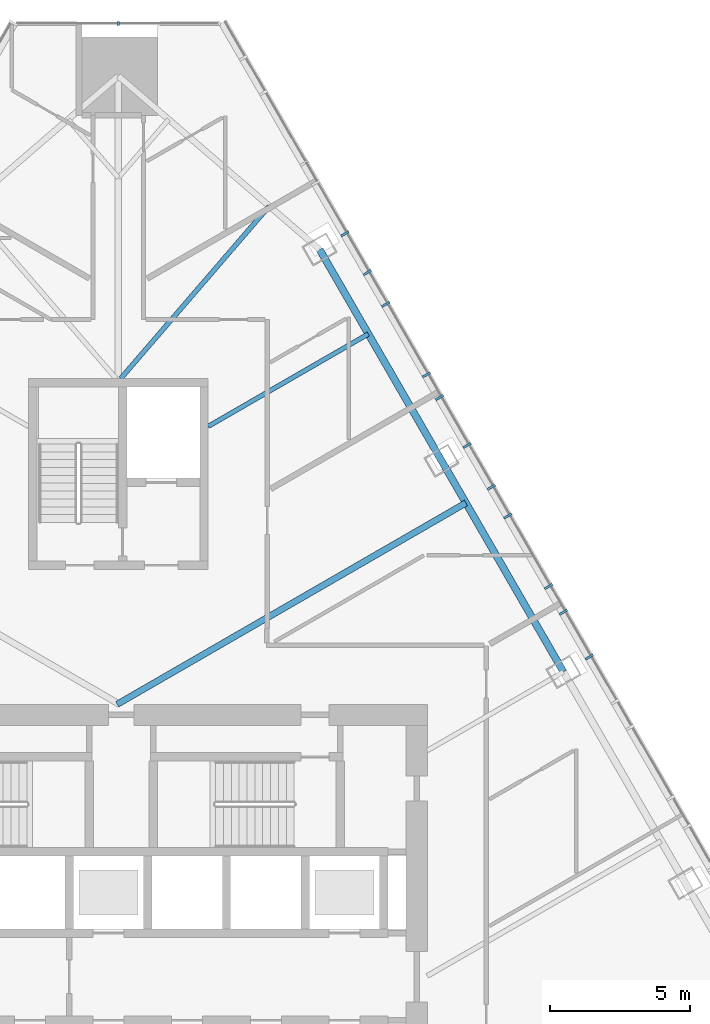
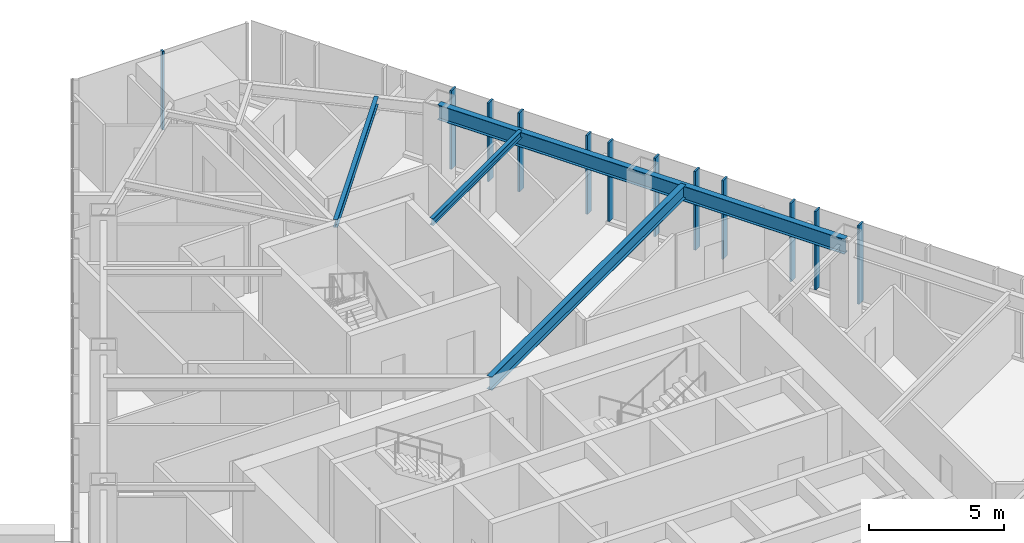
# One storey, part 7 of 23: 12 members, 4 beams, 2 elements without a shape of their own.
"""IFC4 building model written with IfcOpenShell, lengths in metres."""

from ifc_helpers import new_model, si_unit, direction, frame, origin, origin_2d, place, context, subcontext, project, spatial, rectangle, i_section, extrude, material, layer, layer_set, material_profile, profile_set, type_object, element, aggregate, save


model = new_model("IFC4")

# Units and contexts
model_context = context("Model", 3, precision=1e-05, world=origin(), true_north=direction((0.0, 1.0)))
body_context = subcontext(model_context, "Body", "Model", "MODEL_VIEW")
ifc_project = project(units=[si_unit("LENGTHUNIT", "METRE"), si_unit("AREAUNIT", "SQUARE_METRE"), si_unit("VOLUMEUNIT", "CUBIC_METRE"), si_unit("PLANEANGLEUNIT", "RADIAN"), si_unit("MASSUNIT", "GRAM", prefix="KILO")], contexts=[model_context])

# Site, building, storey
site_placement = place(None, origin())
site = spatial("IfcSite", under=ifc_project, at=site_placement, CompositionType="ELEMENT")
building_placement = place(site_placement, origin())
building = spatial("IfcBuilding", under=site, at=building_placement, Name="Firuza Gate Tower and Library", CompositionType="ELEMENT")
storey_placement = place(building_placement, frame((0.0, 0.0, 190.89990234375)))
storey = spatial("IfcBuildingStorey", under=building, at=storey_placement, Name="L44", CompositionType="ELEMENT", Elevation=190.89990234375)

# Curtain wall, member
ifc_material_1 = material(Name="Aluminium 6063-T6", Category="aluminium")
ifc_layer_1 = layer(ifc_material_1, 0.14990234375)
ifc_layer_set_1 = layer_set([ifc_layer_1], Name="Corner curtain wall, chamfers")
curtain_wall_type_1 = type_object("IfcCurtainWallType", Name="Corner curtain wall, chamfers", PredefinedType="NOTDEFINED", material=ifc_layer_set_1)
placement = place(storey_placement, origin())
curtain_wall_1 = element("IfcCurtainWall", 1, at=placement, inside=storey, type_object=curtain_wall_type_1, Name="CW4 L44 N corner", PredefinedType="NOTDEFINED")
ifc_material_2 = material(Name="Aluminium 6063-T6", Category="aluminium")
ifc_material_profile_1 = material_profile(ifc_material_2, rectangle(XDim=0.14990234375, YDim=0.080078125, at=origin_2d()))
ifc_profile_set_1 = profile_set([ifc_material_profile_1], Name="Aluminium 6063-T6")
member_type_1 = type_object("IfcMemberType", Name="Curtain wall mullion 80x150", PredefinedType="MULLION", material=ifc_profile_set_1)
member_1_placement = place(storey_placement, frame((75.0, 107.241943359375, 0.150146484375), z_axis=(0.0, 0.0, 1.0), x_axis=(0.0, -1.0, 0.0)))
member_1 = element("IfcMember", 2, at=member_1_placement, type_object=member_type_1, Name="Mullion", PredefinedType="MULLION", context=body_context, shape_type="SweptSolid", body=[
    extrude(rectangle(XDim=0.14990234375, YDim=0.080078125, at=origin_2d()), origin(), (0.0, 0.0, 1.0), 3.550048828125),
])
aggregate(curtain_wall_1, [member_1])

# Curtain wall, members
ifc_material_3 = material(Name="Aluminium 6063-T6", Category="aluminium")
ifc_layer_2 = layer(ifc_material_3, 0.14990234375)
ifc_layer_set_2 = layer_set([ifc_layer_2], Name="Unitised curtain wall, hotel")
curtain_wall_type_2 = type_object("IfcCurtainWallType", Name="Unitised curtain wall, hotel", PredefinedType="NOTDEFINED", material=ifc_layer_set_2)
curtain_wall_2 = element("IfcCurtainWall", 3, at=placement, inside=storey, type_object=curtain_wall_type_2, Name="CW2 L44 E face", PredefinedType="NOTDEFINED")
ifc_material_4 = material(Name="Aluminium 6063-T6", Category="aluminium")
ifc_material_profile_2 = material_profile(ifc_material_4, rectangle(XDim=0.320068359375, YDim=0.080078125, at=origin_2d()))
ifc_profile_set_2 = profile_set([ifc_material_profile_2], Name="Aluminium 6063-T6")
member_type_2 = type_object("IfcMemberType", Name="Curtain wall mullion 80x320", PredefinedType="MULLION", material=ifc_profile_set_2)
member_2_placement = place(storey_placement, frame((91.767333984375, 84.6806640625, 0.150146484375), z_axis=(0.0, 0.0, 1.0), x_axis=(-0.866025403784, -0.5, 0.0)))
member_2 = element("IfcMember", 4, at=member_2_placement, type_object=member_type_2, Name="Mullion", PredefinedType="MULLION", context=body_context, shape_type="SweptSolid", body=[
    extrude(rectangle(XDim=0.320068359375, YDim=0.080078125, at=origin_2d()), origin(), (0.0, 0.0, 1.0), 3.550048828125),
])
member_3_placement = place(storey_placement, frame((90.317138671875, 87.192138671875, 0.150146484375), z_axis=(0.0, 0.0, 1.0), x_axis=(-0.866025403784, -0.5, 0.0)))
member_3 = element("IfcMember", 5, at=member_3_placement, type_object=member_type_2, Name="Mullion", PredefinedType="MULLION", context=body_context, shape_type="SweptSolid", body=[
    extrude(rectangle(XDim=0.320068359375, YDim=0.080078125, at=origin_2d()), origin(), (0.0, 0.0, 1.0), 3.550048828125),
])
member_4_placement = place(storey_placement, frame((88.8671875, 89.70361328125, 0.150146484375), z_axis=(0.0, 0.0, 1.0), x_axis=(-0.866025403784, -0.5, 0.0)))
member_4 = element("IfcMember", 6, at=member_4_placement, type_object=member_type_2, Name="Mullion", PredefinedType="MULLION", context=body_context, shape_type="SweptSolid", body=[
    extrude(rectangle(XDim=0.320068359375, YDim=0.080078125, at=origin_2d()), origin(), (0.0, 0.0, 1.0), 3.550048828125),
])
member_5_placement = place(storey_placement, frame((87.417236328125, 92.215087890625, 0.150146484375), z_axis=(0.0, 0.0, 1.0), x_axis=(-0.866025403784, -0.5, 0.0)))
member_5 = element("IfcMember", 7, at=member_5_placement, type_object=member_type_2, Name="Mullion", PredefinedType="MULLION", context=body_context, shape_type="SweptSolid", body=[
    extrude(rectangle(XDim=0.320068359375, YDim=0.080078125, at=origin_2d()), origin(), (0.0, 0.0, 1.0), 3.550048828125),
])
member_6_placement = place(storey_placement, frame((85.967041015625, 94.726806640625, 0.150146484375), z_axis=(0.0, 0.0, 1.0), x_axis=(-0.866025403784, -0.5, 0.0)))
member_6 = element("IfcMember", 8, at=member_6_placement, type_object=member_type_2, Name="Mullion", PredefinedType="MULLION", context=body_context, shape_type="SweptSolid", body=[
    extrude(rectangle(XDim=0.320068359375, YDim=0.080078125, at=origin_2d()), origin(), (0.0, 0.0, 1.0), 3.550048828125),
])
member_7_placement = place(storey_placement, frame((84.51708984375, 97.23828125, 0.150146484375), z_axis=(0.0, 0.0, 1.0), x_axis=(-0.866025403784, -0.5, 0.0)))
member_7 = element("IfcMember", 9, at=member_7_placement, type_object=member_type_2, Name="Mullion", PredefinedType="MULLION", context=body_context, shape_type="SweptSolid", body=[
    extrude(rectangle(XDim=0.320068359375, YDim=0.080078125, at=origin_2d()), origin(), (0.0, 0.0, 1.0), 3.550048828125),
])
member_8_placement = place(storey_placement, frame((83.067138671875, 99.749755859375, 0.150146484375), z_axis=(0.0, 0.0, 1.0), x_axis=(-0.866025403784, -0.5, 0.0)))
member_8 = element("IfcMember", 10, at=member_8_placement, type_object=member_type_2, Name="Mullion", PredefinedType="MULLION", context=body_context, shape_type="SweptSolid", body=[
    extrude(rectangle(XDim=0.320068359375, YDim=0.080078125, at=origin_2d()), origin(), (0.0, 0.0, 1.0), 3.550048828125),
])
member_9_placement = place(storey_placement, frame((90.845458984375, 86.27734375, 0.150146484375), z_axis=(0.0, 0.0, 1.0), x_axis=(-0.866025403784, -0.5, 0.0)))
member_9 = element("IfcMember", 11, at=member_9_placement, type_object=member_type_2, Name="Mullion", PredefinedType="MULLION", context=body_context, shape_type="SweptSolid", body=[
    extrude(rectangle(XDim=0.320068359375, YDim=0.080078125, at=origin_2d()), origin(), (0.0, 0.0, 1.0), 3.550048828125),
])
member_10_placement = place(storey_placement, frame((88.277099609375, 90.7255859375, 0.150146484375), z_axis=(0.0, 0.0, 1.0), x_axis=(-0.866025403784, -0.5, 0.0)))
member_10 = element("IfcMember", 12, at=member_10_placement, type_object=member_type_2, Name="Mullion", PredefinedType="MULLION", context=body_context, shape_type="SweptSolid", body=[
    extrude(rectangle(XDim=0.320068359375, YDim=0.080078125, at=origin_2d()), origin(), (0.0, 0.0, 1.0), 3.550048828125),
])
member_11_placement = place(storey_placement, frame((86.433349609375, 93.9189453125, 0.150146484375), z_axis=(0.0, 0.0, 1.0), x_axis=(-0.866025403784, -0.5, 0.0)))
member_11 = element("IfcMember", 13, at=member_11_placement, type_object=member_type_2, Name="Mullion", PredefinedType="MULLION", context=body_context, shape_type="SweptSolid", body=[
    extrude(rectangle(XDim=0.320068359375, YDim=0.080078125, at=origin_2d()), origin(), (0.0, 0.0, 1.0), 3.550048828125),
])
member_12_placement = place(storey_placement, frame((83.865234375, 98.3671875, 0.150146484375), z_axis=(0.0, 0.0, 1.0), x_axis=(-0.866025403784, -0.5, 0.0)))
member_12 = element("IfcMember", 14, at=member_12_placement, type_object=member_type_2, Name="Mullion", PredefinedType="MULLION", context=body_context, shape_type="SweptSolid", body=[
    extrude(rectangle(XDim=0.320068359375, YDim=0.080078125, at=origin_2d()), origin(), (0.0, 0.0, 1.0), 3.550048828125),
])
aggregate(curtain_wall_2, [member_2, member_3, member_4, member_5, member_6, member_7, member_8, member_9, member_10, member_11, member_12])

# Beams
ifc_material_5 = material(Name="Steel S355", Category="steel")
ifc_material_profile_3 = material_profile(ifc_material_5, i_section(OverallWidth=0.1650390625, OverallDepth=0.31005859375, WebThickness=0.005859375, FlangeThickness=0.009765625, at=origin_2d()))
ifc_profile_set_3 = profile_set([ifc_material_profile_3], Name="Steel S355")
beam_type_1 = type_object("IfcBeamType", Name="W310x39 Floor beam", PredefinedType="JOIST", material=ifc_profile_set_3)
beam_1_placement = place(storey_placement, frame((83.900634765625, 96.18603515625, 3.545166015625), z_axis=(-0.866027472073, -0.499996417602, 0.0), x_axis=(0.499996417602, -0.866027472073, 0.0)))
element("IfcBeam", 15, at=beam_1_placement, inside=storey, type_object=beam_type_1, Name="Floor beam L44 s54", PredefinedType="JOIST", context=body_context, shape_type="SweptSolid", body=[
    extrude(i_section(OverallWidth=0.1650390625, OverallDepth=0.31005859375, WebThickness=0.005859375, FlangeThickness=0.009765625, at=origin_2d()), origin(), (0.0, 0.0, 1.0), 6.58251953125),
])
ifc_material_6 = material(Name="Steel S355", Category="steel")
ifc_material_profile_4 = material_profile(ifc_material_6, i_section(OverallWidth=0.1708984375, OverallDepth=0.35498046875, WebThickness=0.007080078125, FlangeThickness=0.01171875, at=origin_2d()))
ifc_profile_set_4 = profile_set([ifc_material_profile_4], Name="Steel S355")
beam_type_2 = type_object("IfcBeamType", Name="W360x51 Floor beam", PredefinedType="JOIST", material=ifc_profile_set_4)
beam_2_placement = place(storey_placement, frame((80.37255859375, 100.73779296875, 3.522705078125), z_axis=(-0.65274228711, -0.757580033144, 0.0), x_axis=(0.757580033144, -0.65274228711, 0.0)))
element("IfcBeam", 16, at=beam_2_placement, inside=storey, type_object=beam_type_2, Name="Floor beam L44 s60", PredefinedType="JOIST", context=body_context, shape_type="SweptSolid", body=[
    extrude(i_section(OverallWidth=0.1708984375, OverallDepth=0.35498046875, WebThickness=0.007080078125, FlangeThickness=0.01171875, at=origin_2d()), origin(), (0.0, 0.0, 1.0), 8.101806640625),
])
ifc_material_7 = material(Name="Steel S355", Category="steel")
ifc_material_profile_5 = material_profile(ifc_material_7, i_section(OverallWidth=0.22802734375, OverallDepth=0.60302734375, WebThickness=0.010498046875, FlangeThickness=0.014892578125, at=origin_2d()))
ifc_profile_set_5 = profile_set([ifc_material_profile_5], Name="Steel S355")
beam_type_3 = type_object("IfcBeamType", Name="W610x101 Floor beam", PredefinedType="JOIST", material=ifc_profile_set_5)
beam_3_placement = place(storey_placement, frame((87.375, 90.168212890625, 3.398681640625), z_axis=(-0.866026494677, -0.499998110514, 0.0), x_axis=(0.499998110514, -0.866026494677, 0.0)))
element("IfcBeam", 17, at=beam_3_placement, inside=storey, type_object=beam_type_3, Name="Floor beam L44 s53", PredefinedType="JOIST", context=body_context, shape_type="SweptSolid", body=[
    extrude(i_section(OverallWidth=0.22802734375, OverallDepth=0.60302734375, WebThickness=0.010498046875, FlangeThickness=0.014892578125, at=origin_2d()), origin(), (0.0, 0.0, 1.0), 14.33642578125),
])
ifc_material_8 = material(Name="Steel S355", Category="steel")
ifc_material_profile_6 = material_profile(ifc_material_8, i_section(OverallWidth=0.2529296875, OverallDepth=0.677978515625, WebThickness=0.01171875, FlangeThickness=0.016357421875, at=origin_2d()))
ifc_profile_set_6 = profile_set([ifc_material_profile_6], Name="Steel S355")
beam_type_4 = type_object("IfcBeamType", Name="W690x125 Edge beam", PredefinedType="SPANDREL", material=ifc_profile_set_6)
beam_4_placement = place(storey_placement, frame((90.849365234375, 84.150634765625, 3.361083984375), z_axis=(-0.500001044169, 0.866024800932, 0.0), x_axis=(-0.866024800932, -0.500001044169, 0.0)))
element("IfcBeam", 18, at=beam_4_placement, inside=storey, type_object=beam_type_4, Name="Edge beam L44 e52", PredefinedType="SPANDREL", context=body_context, shape_type="SweptSolid", body=[
    extrude(i_section(OverallWidth=0.2529296875, OverallDepth=0.677978515625, WebThickness=0.01171875, FlangeThickness=0.016357421875, at=origin_2d()), origin(), (0.0, 0.0, 1.0), 17.37158203125),
])

save(model, "model.ifc")
